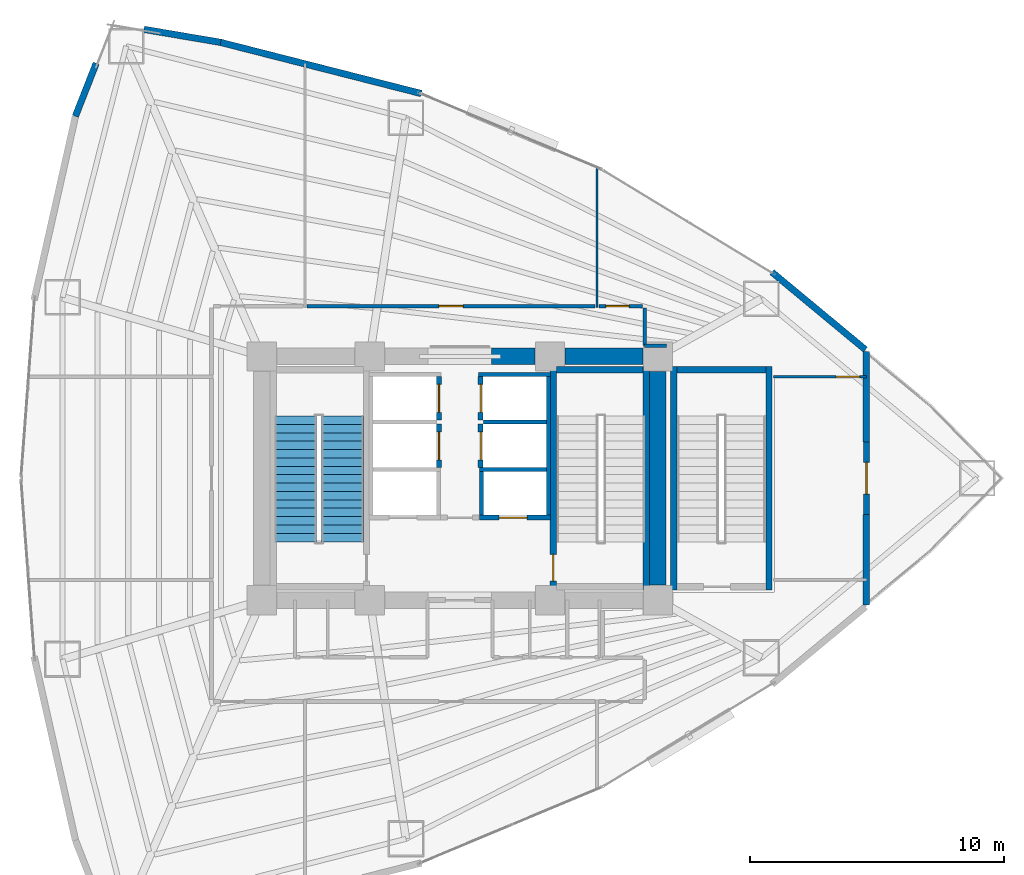
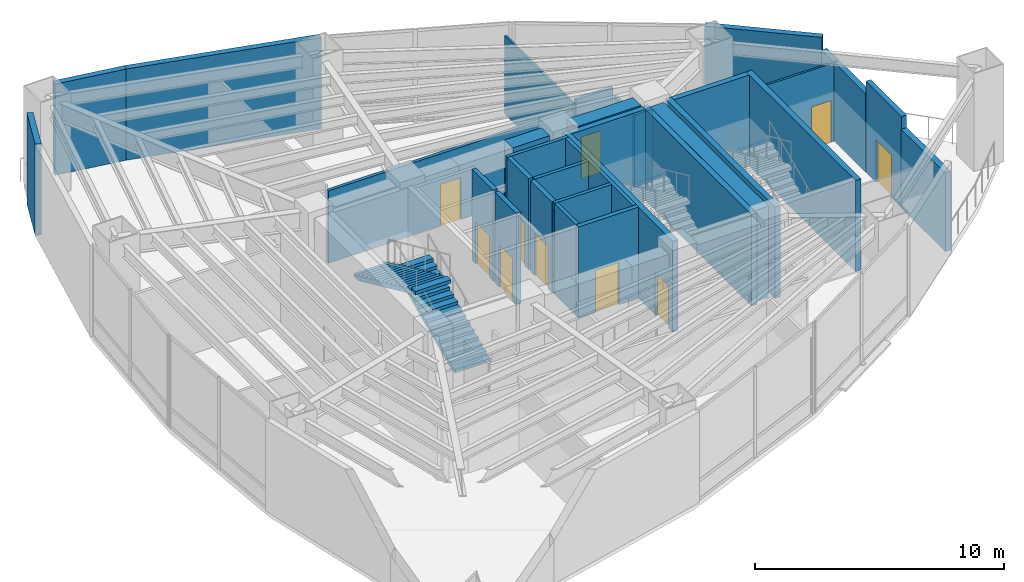
# One storey, part 15 of 18: 32 walls, 10 doors, 2 stair flights, 10 openings, 1 element without a shape of its own.
"""IFC4 building model written with IfcOpenShell, lengths in metres."""

from ifc_helpers import new_model, si_unit, direction, frame, frame_2d, origin, place, context, subcontext, project, spatial, polyline, rectangle, outline, extrude, material, layer, layer_set, type_object, element, fill, aggregate, save


model = new_model("IFC4")

# Units and contexts
model_context = context("Model", 3, precision=1e-05, world=origin(), true_north=direction((0.0, 1.0)))
body_context = subcontext(model_context, "Body", "Model", "MODEL_VIEW")
ifc_project = project(units=[si_unit("LENGTHUNIT", "METRE"), si_unit("AREAUNIT", "SQUARE_METRE"), si_unit("VOLUMEUNIT", "CUBIC_METRE"), si_unit("PLANEANGLEUNIT", "RADIAN"), si_unit("MASSUNIT", "GRAM", prefix="KILO")], contexts=[model_context])

# Site, building, storey
site_placement = place(None, origin())
site = spatial("IfcSite", under=ifc_project, at=site_placement, CompositionType="ELEMENT")
building_placement = place(site_placement, origin())
building = spatial("IfcBuilding", under=site, at=building_placement, Name="Menara Vayukalpa", CompositionType="ELEMENT")
storey_placement = place(building_placement, frame((0.0, 0.0, 18.0)))
storey = spatial("IfcBuildingStorey", under=building, at=storey_placement, Name="L03", CompositionType="ELEMENT", Elevation=18.0)

# Walls
ifc_material_1 = material(Name="Concrete C80/95", Category="concrete")
ifc_layer_1 = layer(ifc_material_1, 0.64990234375)
ifc_layer_set_1 = layer_set([ifc_layer_1], Name="Concrete C80/95")
wall_type_1 = type_object("IfcWallType", Name="WAL-CW650", PredefinedType="SHEAR", material=ifc_layer_set_1)
wall_1_placement = place(storey_placement, frame((26.85009765625, 26.800048828125, 0.0), z_axis=(0.0, 0.0, 1.0), x_axis=(1.0, 0.0, 0.0)))
element("IfcWall", 1, at=wall_1_placement, inside=storey, type_object=wall_type_1, Name="L03 Buttressed Core Shear Wall CWN3", PredefinedType="SHEAR", context=body_context, shape_type="SweptSolid", body=[
    extrude(rectangle(XDim=1.704833984375, YDim=0.64990234375, at=frame_2d((0.8525390625, 0.0))), origin(), (0.0, 0.0, 1.0), 4.47998046875),
])
wall_2_placement = place(storey_placement, frame((29.7451171875, 26.800048828125, 0.0), z_axis=(0.0, 0.0, 1.0), x_axis=(1.0, 0.0, 0.0)))
element("IfcWall", 2, at=wall_2_placement, inside=storey, type_object=wall_type_1, Name="L03 Buttressed Core Shear Wall CWN4", PredefinedType="SHEAR", context=body_context, shape_type="SweptSolid", body=[
    extrude(rectangle(XDim=3.059814453125, YDim=0.64990234375, at=frame_2d((1.52978515625, 0.0))), origin(), (0.0, 0.0, 1.0), 4.47998046875),
])
wall_3_placement = place(storey_placement, frame((33.39990234375, 17.794921875, 0.0), z_axis=(0.0, 0.0, 1.0), x_axis=(0.0, 1.0, 0.0)))
element("IfcWall", 3, at=wall_3_placement, inside=storey, type_object=wall_type_1, Name="L03 Buttressed Core Shear Wall CWE1", PredefinedType="SHEAR", context=body_context, shape_type="SweptSolid", body=[
    extrude(rectangle(XDim=8.41015625, YDim=0.64990234375, at=frame_2d((4.205078125, 0.0))), origin(), (0.0, 0.0, 1.0), 4.47998046875),
])

# Wall, opening, door
ifc_material_2 = material(Name="Insulated Precast Concrete C40/50", Category="concrete")
ifc_layer_2 = layer(ifc_material_2, 0.22998046875)
ifc_layer_set_2 = layer_set([ifc_layer_2], Name="Insulated Precast Concrete C40/50")
wall_type_2 = type_object("IfcWallType", Name="WAL-EXT230", PredefinedType="PARTITIONING", material=ifc_layer_set_2)
wall_4_placement = place(storey_placement, frame((41.609130859375, 20.56396484375, 0.0), z_axis=(0.0, 0.0, 1.0), x_axis=(0.0, 1.0, 0.0)))
wall_4 = element("IfcWall", 4, at=wall_4_placement, inside=storey, type_object=wall_type_2, Name="L03 Sky Terrace Access Wall", PredefinedType="PARTITIONING", context=body_context, shape_type="SweptSolid", body=[
    extrude(rectangle(XDim=2.8720703125, YDim=0.22998046875, at=frame_2d((1.43603515625, 0.0))), origin(), (0.0, 0.0, 1.0), 4.47998046875),
])
opening_1_placement = place(wall_4_placement, frame((0.81103515625, 0.0, 0.0)))
opening_1 = element("IfcOpeningElement", 5, at=opening_1_placement, cuts=wall_4, Name="Opening ED3", PredefinedType="OPENING", context=body_context, shape_type="SweptSolid", body=[
    extrude(rectangle(XDim=1.25, YDim=2.10009765625, at=frame_2d((0.625, 1.050048828125))), frame((0.0, 0.125, 0.0), z_axis=(0.0, -1.0, 0.0), x_axis=(1.0, 0.0, 0.0)), (0.0, 0.0, 1.0), 0.25),
])
ifc_material_3 = material(Name="Thermally Broken Aluminium Terrace Door", Category="aluminium")
door_type_1 = type_object("IfcDoorType", Name="DR-EX125", OperationType="NOTDEFINED", PredefinedType="DOOR", material=ifc_material_3)
door_1_placement = place(opening_1_placement, origin())
door_1 = element("IfcDoor", 6, at=door_1_placement, inside=storey, type_object=door_type_1, Name="L03 Outdoor Sky Terrace Access Door", OperationType="SINGLE_SWING_RIGHT", OverallHeight=2.10009765625, OverallWidth=1.25, PredefinedType="DOOR", context=body_context, shape_type="SweptSolid", body=[
    extrude(rectangle(XDim=1.25, YDim=2.10009765625, at=frame_2d((0.625, 1.050048828125))), frame((0.0, 0.02490234375, 0.0), z_axis=(0.0, -1.0, 0.0), x_axis=(1.0, 0.0, 0.0)), (0.0, 0.0, 1.0), 0.050048828125),
])
fill(opening_1, door_1)

# Walls
ifc_material_4 = material(Name="Insulated Precast Concrete C40/50", Category="concrete")
ifc_layer_3 = layer(ifc_material_4, 0.260009765625)
ifc_layer_set_3 = layer_set([ifc_layer_3], Name="Insulated Precast Concrete C40/50")
wall_type_3 = type_object("IfcWallType", Name="WAL-EXT260", PredefinedType="PARTITIONING", material=ifc_layer_set_3)
for number, where, z_axis, x_axis, name in (
    (7, (41.609130859375, 20.575927734375, 0.0), (0.0, 0.0, 1.0), (0.0, -1.0, 0.0), "L03 Perimeter Terracotta Pier Wall 01"),
    (8, (41.609130859375, 26.988037109375, 0.0), (0.0, 0.0, 1.0), (0.0, -1.0, 0.0), "L03 Perimeter Terracotta Pier Wall 02"),
):
    element("IfcWall", number, at=place(storey_placement, frame(where, z_axis=z_axis, x_axis=x_axis)), inside=storey, type_object=wall_type_3, Name=name, PredefinedType="PARTITIONING", context=body_context, shape_type="SweptSolid", body=[
        extrude(rectangle(XDim=3.56396484375, YDim=0.260009765625, at=frame_2d((1.781982421875, 0.0))), origin(), (0.0, 0.0, 1.0), 3.860107421875),
    ])
wall_5_placement = place(storey_placement, frame((37.888427734375, 30.121337890625, 0.0), z_axis=(0.0, 0.0, 1.0), x_axis=(0.769749401626, -0.638346190321, 0.0)))
element("IfcWall", 9, at=wall_5_placement, inside=storey, type_object=wall_type_3, Name="L03 Perimeter Terracotta Pier Wall 03", PredefinedType="PARTITIONING", context=body_context, shape_type="SweptSolid", body=[
    extrude(rectangle(XDim=4.7861328125, YDim=0.260009765625, at=frame_2d((2.39306640625, 0.0))), origin(), (0.0, 0.0, 1.0), 4.47998046875),
])
wall_6_placement = place(storey_placement, frame((16.167724609375, 39.171142578125, 0.0), z_axis=(0.0, 0.0, 1.0), x_axis=(0.968981557045, -0.247133045354, 0.0)))
element("IfcWall", 10, at=wall_6_placement, inside=storey, type_object=wall_type_3, Name="L03 Perimeter Terracotta Pier Wall 06", PredefinedType="PARTITIONING", context=body_context, shape_type="SweptSolid", body=[
    extrude(rectangle(XDim=8.1669921875, YDim=0.260009765625, at=frame_2d((4.08349609375, 0.0))), origin(), (0.0, 0.0, 1.0), 4.47998046875),
])
wall_7_placement = place(storey_placement, frame((13.158203125, 39.681396484375, 0.0), z_axis=(0.0, 0.0, 1.0), x_axis=(0.985905166387, -0.167305119144, 0.0)))
element("IfcWall", 11, at=wall_7_placement, inside=storey, type_object=wall_type_3, Name="L03 Perimeter Terracotta Pier Wall 07", PredefinedType="PARTITIONING", context=body_context, shape_type="SweptSolid", body=[
    extrude(rectangle(XDim=3.064453125, YDim=0.260009765625, at=frame_2d((1.5322265625, 0.0))), origin(), (0.0, 0.0, 1.0), 4.47998046875),
])
wall_8_placement = place(storey_placement, frame((10.4560546875, 36.2578125, 0.0), z_axis=(0.0, 0.0, 1.0), x_axis=(0.365527759733, 0.930800438797, 0.0)))
element("IfcWall", 12, at=wall_8_placement, inside=storey, type_object=wall_type_3, Name="L03 Perimeter Terracotta Pier Wall 08", PredefinedType="PARTITIONING", context=body_context, shape_type="SweptSolid", body=[
    extrude(rectangle(XDim=2.242919921875, YDim=0.260009765625, at=frame_2d((1.12158203125, 0.0))), origin(), (0.0, 0.0, 1.0), 4.47998046875),
])
ifc_material_5 = material(Name="Lightweight Concrete Blockwork C16/20", Category="masonry")
ifc_layer_4 = layer(ifc_material_5, 0.159912109375)
ifc_layer_set_4 = layer_set([ifc_layer_4], Name="Lightweight Concrete Blockwork C16/20")
wall_type_4 = type_object("IfcWallType", Name="WAL-FR150", PredefinedType="PARTITIONING", material=ifc_layer_set_4)
wall_9_placement = place(storey_placement, frame((29.094970703125, 20.56005859375, 0.0), z_axis=(0.0, 0.0, 1.0), x_axis=(0.0, 1.0, 0.0)))
element("IfcWall", 13, at=wall_9_placement, inside=storey, type_object=wall_type_4, Name="L03 Interior Partition IW-L03-SHW-EE", PredefinedType="PARTITIONING", context=body_context, shape_type="SweptSolid", body=[
    extrude(rectangle(XDim=5.449951171875, YDim=0.159912109375, at=frame_2d((2.72509765625, 0.0))), origin(), (0.0, 0.0, 1.0), 4.47998046875),
])
wall_10_placement = place(storey_placement, frame((26.445068359375, 20.56005859375, 0.0), z_axis=(0.0, 0.0, 1.0), x_axis=(0.0, 1.0, 0.0)))
element("IfcWall", 14, at=wall_10_placement, inside=storey, type_object=wall_type_4, Name="L03 Interior Partition IW-L03-SHW-E1W", PredefinedType="PARTITIONING", context=body_context, shape_type="SweptSolid", body=[
    extrude(rectangle(XDim=1.7099609375, YDim=0.159912109375, at=frame_2d((0.85498046875, 0.0))), origin(), (0.0, 0.0, 1.0), 4.47998046875),
])
wall_11_placement = place(storey_placement, frame((26.3701171875, 22.344970703125, 0.0), z_axis=(0.0, 0.0, 1.0), x_axis=(1.0, 0.0, 0.0)))
element("IfcWall", 15, at=wall_11_placement, inside=storey, type_object=wall_type_4, Name="L03 Interior Partition IW-L03-SHM-E13", PredefinedType="PARTITIONING", context=body_context, shape_type="SweptSolid", body=[
    extrude(rectangle(XDim=2.64990234375, YDim=0.159912109375, at=frame_2d((1.324951171875, 0.0))), origin(), (0.0, 0.0, 1.0), 4.47998046875),
])
wall_12_placement = place(storey_placement, frame((26.530029296875, 24.215087890625, 0.0), z_axis=(0.0, 0.0, 1.0), x_axis=(1.0, 0.0, 0.0)))
element("IfcWall", 16, at=wall_12_placement, inside=storey, type_object=wall_type_4, Name="L03 Interior Partition IW-L03-SHM-E32", PredefinedType="PARTITIONING", context=body_context, shape_type="SweptSolid", body=[
    extrude(rectangle(XDim=2.489990234375, YDim=0.159912109375, at=frame_2d((1.2451171875, 0.0))), origin(), (0.0, 0.0, 1.0), 4.47998046875),
])
wall_13_placement = place(storey_placement, frame((26.340087890625, 26.0849609375, 0.0), z_axis=(0.0, 0.0, 1.0), x_axis=(1.0, 0.0, 0.0)))
element("IfcWall", 17, at=wall_13_placement, inside=storey, type_object=wall_type_4, Name="L03 Interior Partition IW-L03-SHM-E2N", PredefinedType="PARTITIONING", context=body_context, shape_type="SweptSolid", body=[
    extrude(rectangle(XDim=2.829833984375, YDim=0.159912109375, at=frame_2d((1.4150390625, 0.0))), origin(), (0.0, 0.0, 1.0), 4.47998046875),
])

# Wall, opening, door
ifc_material_6 = material(Name="Lightweight Concrete Blockwork C16/20", Category="masonry")
ifc_layer_5 = layer(ifc_material_6, 0.199951171875)
ifc_layer_set_5 = layer_set([ifc_layer_5], Name="Lightweight Concrete Blockwork C16/20")
wall_type_5 = type_object("IfcWallType", Name="WAL-FR200", PredefinedType="PARTITIONING", material=ifc_layer_set_5)
wall_14_placement = place(storey_placement, frame((26.3701171875, 20.449951171875, 0.0), z_axis=(0.0, 0.0, 1.0), x_axis=(1.0, 0.0, 0.0)))
wall_14 = element("IfcWall", 18, at=wall_14_placement, inside=storey, type_object=wall_type_5, Name="L03 Interior Partition IW-L03-SH-E1", PredefinedType="PARTITIONING", context=body_context, shape_type="SweptSolid", body=[
    extrude(rectangle(XDim=2.7998046875, YDim=0.199951171875, at=frame_2d((1.39990234375, 0.0))), origin(), (0.0, 0.0, 1.0), 4.47998046875),
])
opening_2_placement = place(wall_14_placement, frame((0.780029296875, 0.0, 0.0)))
opening_2 = element("IfcOpeningElement", 19, at=opening_2_placement, cuts=wall_14, Name="Opening LD1", PredefinedType="OPENING", context=body_context, shape_type="SweptSolid", body=[
    extrude(rectangle(XDim=1.10009765625, YDim=2.080078125, at=frame_2d((0.550048828125, 1.0400390625))), frame((0.0, 0.10986328125, 0.0), z_axis=(0.0, -1.0, 0.0), x_axis=(1.0, 0.0, 0.0)), (0.0, 0.0, 1.0), 0.219970703125),
])
ifc_material_7 = material(Name="Brushed Stainless Steel 316 Lift Door", Category="steel")
door_type_2 = type_object("IfcDoorType", Name="DR-LD110", OperationType="NOTDEFINED", PredefinedType="DOOR", material=ifc_material_7)
door_2_placement = place(opening_2_placement, origin())
door_2 = element("IfcDoor", 20, at=door_2_placement, inside=storey, type_object=door_type_2, Name="L03 Interior Door DR-L03-LD-E1", OperationType="DOUBLE_DOOR_SLIDING", OverallHeight=2.080078125, OverallWidth=1.10009765625, PredefinedType="DOOR", context=body_context, shape_type="SweptSolid", body=[
    extrude(rectangle(XDim=1.10009765625, YDim=2.080078125, at=frame_2d((0.550048828125, 1.0400390625))), frame((0.0, 0.02490234375, 0.0), z_axis=(0.0, -1.0, 0.0), x_axis=(1.0, 0.0, 0.0)), (0.0, 0.0, 1.0), 0.050048828125),
])
fill(opening_2, door_2)

wall_15_placement = place(storey_placement, frame((24.780029296875, 22.419921875, 0.0), z_axis=(0.0, 0.0, 1.0), x_axis=(0.0, 1.0, 0.0)))
wall_15 = element("IfcWall", 21, at=wall_15_placement, inside=storey, type_object=wall_type_5, Name="L03 Interior Partition IW-L03-SH-W2", PredefinedType="PARTITIONING", context=body_context, shape_type="SweptSolid", body=[
    extrude(rectangle(XDim=1.719970703125, YDim=0.199951171875, at=frame_2d((0.85986328125, 0.0))), origin(), (0.0, 0.0, 1.0), 4.47998046875),
])
opening_3_placement = place(wall_15_placement, frame((0.31005859375, 0.0, 0.0)))
opening_3 = element("IfcOpeningElement", 22, at=opening_3_placement, cuts=wall_15, Name="Opening LD1", PredefinedType="OPENING", context=body_context, shape_type="SweptSolid", body=[
    extrude(rectangle(XDim=1.10009765625, YDim=2.080078125, at=frame_2d((0.550048828125, 1.0400390625))), frame((0.0, 0.10986328125, 0.0), z_axis=(0.0, -1.0, 0.0), x_axis=(1.0, 0.0, 0.0)), (0.0, 0.0, 1.0), 0.219970703125),
])
door_3_placement = place(opening_3_placement, origin())
door_3 = element("IfcDoor", 23, at=door_3_placement, inside=storey, type_object=door_type_2, Name="L03 Interior Door DR-L03-LD-W2", OperationType="DOUBLE_DOOR_SLIDING", OverallHeight=2.080078125, OverallWidth=1.10009765625, PredefinedType="DOOR", context=body_context, shape_type="SweptSolid", body=[
    extrude(rectangle(XDim=1.10009765625, YDim=2.080078125, at=frame_2d((0.550048828125, 1.0400390625))), frame((0.0, 0.02490234375, 0.0), z_axis=(0.0, -1.0, 0.0), x_axis=(1.0, 0.0, 0.0)), (0.0, 0.0, 1.0), 0.050048828125),
])
fill(opening_3, door_3)

wall_16_placement = place(storey_placement, frame((24.780029296875, 24.2900390625, 0.0), z_axis=(0.0, 0.0, 1.0), x_axis=(0.0, 1.0, 0.0)))
wall_16 = element("IfcWall", 24, at=wall_16_placement, inside=storey, type_object=wall_type_5, Name="L03 Interior Partition IW-L03-SH-W3", PredefinedType="PARTITIONING", context=body_context, shape_type="SweptSolid", body=[
    extrude(rectangle(XDim=1.719970703125, YDim=0.199951171875, at=frame_2d((0.85986328125, 0.0))), origin(), (0.0, 0.0, 1.0), 4.47998046875),
])
opening_4_placement = place(wall_16_placement, frame((0.31005859375, 0.0, 0.0)))
opening_4 = element("IfcOpeningElement", 25, at=opening_4_placement, cuts=wall_16, Name="Opening LD1", PredefinedType="OPENING", context=body_context, shape_type="SweptSolid", body=[
    extrude(rectangle(XDim=1.10009765625, YDim=2.080078125, at=frame_2d((0.550048828125, 1.0400390625))), frame((0.0, 0.10986328125, 0.0), z_axis=(0.0, -1.0, 0.0), x_axis=(1.0, 0.0, 0.0)), (0.0, 0.0, 1.0), 0.219970703125),
])
door_4_placement = place(opening_4_placement, origin())
door_4 = element("IfcDoor", 26, at=door_4_placement, inside=storey, type_object=door_type_2, Name="L03 Interior Door DR-L03-LD-W3", OperationType="DOUBLE_DOOR_SLIDING", OverallHeight=2.080078125, OverallWidth=1.10009765625, PredefinedType="DOOR", context=body_context, shape_type="SweptSolid", body=[
    extrude(rectangle(XDim=1.10009765625, YDim=2.080078125, at=frame_2d((0.550048828125, 1.0400390625))), frame((0.0, 0.02490234375, 0.0), z_axis=(0.0, -1.0, 0.0), x_axis=(1.0, 0.0, 0.0)), (0.0, 0.0, 1.0), 0.050048828125),
])
fill(opening_4, door_4)

wall_17_placement = place(storey_placement, frame((26.419921875, 22.419921875, 0.0), z_axis=(0.0, 0.0, 1.0), x_axis=(0.0, 1.0, 0.0)))
wall_17 = element("IfcWall", 27, at=wall_17_placement, inside=storey, type_object=wall_type_5, Name="L03 Interior Partition IW-L03-SH-E3", PredefinedType="PARTITIONING", context=body_context, shape_type="SweptSolid", body=[
    extrude(rectangle(XDim=1.719970703125, YDim=0.199951171875, at=frame_2d((0.85986328125, 0.0))), origin(), (0.0, 0.0, 1.0), 4.47998046875),
])
opening_5_placement = place(wall_17_placement, frame((0.31005859375, 0.0, 0.0)))
opening_5 = element("IfcOpeningElement", 28, at=opening_5_placement, cuts=wall_17, Name="Opening LD1", PredefinedType="OPENING", context=body_context, shape_type="SweptSolid", body=[
    extrude(rectangle(XDim=1.10009765625, YDim=2.080078125, at=frame_2d((0.550048828125, 1.0400390625))), frame((0.0, 0.10986328125, 0.0), z_axis=(0.0, -1.0, 0.0), x_axis=(1.0, 0.0, 0.0)), (0.0, 0.0, 1.0), 0.219970703125),
])
door_5_placement = place(opening_5_placement, origin())
door_5 = element("IfcDoor", 29, at=door_5_placement, inside=storey, type_object=door_type_2, Name="L03 Interior Door DR-L03-LD-E3", OperationType="DOUBLE_DOOR_SLIDING", OverallHeight=2.080078125, OverallWidth=1.10009765625, PredefinedType="DOOR", context=body_context, shape_type="SweptSolid", body=[
    extrude(rectangle(XDim=1.10009765625, YDim=2.080078125, at=frame_2d((0.550048828125, 1.0400390625))), frame((0.0, 0.02490234375, 0.0), z_axis=(0.0, -1.0, 0.0), x_axis=(1.0, 0.0, 0.0)), (0.0, 0.0, 1.0), 0.050048828125),
])
fill(opening_5, door_5)

wall_18_placement = place(storey_placement, frame((26.419921875, 24.2900390625, 0.0), z_axis=(0.0, 0.0, 1.0), x_axis=(0.0, 1.0, 0.0)))
wall_18 = element("IfcWall", 30, at=wall_18_placement, inside=storey, type_object=wall_type_5, Name="L03 Interior Partition IW-L03-SH-E2", PredefinedType="PARTITIONING", context=body_context, shape_type="SweptSolid", body=[
    extrude(rectangle(XDim=1.719970703125, YDim=0.199951171875, at=frame_2d((0.85986328125, 0.0))), origin(), (0.0, 0.0, 1.0), 4.47998046875),
])
opening_6_placement = place(wall_18_placement, frame((0.31005859375, 0.0, 0.0)))
opening_6 = element("IfcOpeningElement", 31, at=opening_6_placement, cuts=wall_18, Name="Opening LD1", PredefinedType="OPENING", context=body_context, shape_type="SweptSolid", body=[
    extrude(rectangle(XDim=1.10009765625, YDim=2.080078125, at=frame_2d((0.550048828125, 1.0400390625))), frame((0.0, 0.10986328125, 0.0), z_axis=(0.0, -1.0, 0.0), x_axis=(1.0, 0.0, 0.0)), (0.0, 0.0, 1.0), 0.219970703125),
])
door_6_placement = place(opening_6_placement, origin())
door_6 = element("IfcDoor", 32, at=door_6_placement, inside=storey, type_object=door_type_2, Name="L03 Interior Door DR-L03-LD-E2", OperationType="DOUBLE_DOOR_SLIDING", OverallHeight=2.080078125, OverallWidth=1.10009765625, PredefinedType="DOOR", context=body_context, shape_type="SweptSolid", body=[
    extrude(rectangle(XDim=1.10009765625, YDim=2.080078125, at=frame_2d((0.550048828125, 1.0400390625))), frame((0.0, 0.02490234375, 0.0), z_axis=(0.0, -1.0, 0.0), x_axis=(1.0, 0.0, 0.0)), (0.0, 0.0, 1.0), 0.050048828125),
])
fill(opening_6, door_6)

# Wall
ifc_material_8 = material(Name="Glazed Demountable Office Partition", Category="glass")
ifc_layer_6 = layer(ifc_material_8, 0.094970703125)
ifc_layer_set_6 = layer_set([ifc_layer_6], Name="Glazed Demountable Office Partition")
wall_type_6 = type_object("IfcWallType", Name="WAL-PT100", PredefinedType="PARTITIONING", material=ifc_layer_set_6)
wall_19_placement = place(storey_placement, frame((31.0, 28.72998046875, 0.0), z_axis=(0.0, 0.0, 1.0), x_axis=(0.0, 1.0, 0.0)))
element("IfcWall", 33, at=wall_19_placement, inside=storey, type_object=wall_type_6, Name="L03 Interior Partition IW-L03-RDIV04", PredefinedType="PARTITIONING", context=body_context, shape_type="SweptSolid", body=[
    extrude(rectangle(XDim=5.522216796875, YDim=0.094970703125, at=frame_2d((2.76123046875, 0.0))), origin(), (0.0, 0.0, 1.0), 3.860107421875),
])

# Wall, opening, door
wall_20_placement = place(storey_placement, frame((37.9599609375, 26.0, 0.0), z_axis=(0.0, 0.0, 1.0), x_axis=(1.0, 0.0, 0.0)))
wall_20 = element("IfcWall", 34, at=wall_20_placement, inside=storey, type_object=wall_type_6, Name="L03 Interior Partition IW-L03-RDIV08", PredefinedType="PARTITIONING", context=body_context, shape_type="SweptSolid", body=[
    extrude(rectangle(XDim=3.6591796875, YDim=0.094970703125, at=frame_2d((1.82958984375, 0.0))), origin(), (0.0, 0.0, 1.0), 3.860107421875),
])
opening_7_placement = place(wall_20_placement, frame((2.459228515625, 0.0, 0.0)))
opening_7 = element("IfcOpeningElement", 35, at=opening_7_placement, cuts=wall_20, Name="Opening ID6", PredefinedType="OPENING", context=body_context, shape_type="SweptSolid", body=[
    extrude(rectangle(XDim=0.919921875, YDim=2.050048828125, at=frame_2d((0.4599609375, 1.02490234375))), frame((0.0, 0.057373046875, 0.0), z_axis=(0.0, -1.0, 0.0), x_axis=(1.0, 0.0, 0.0)), (0.0, 0.0, 1.0), 0.114990234375),
])
ifc_material_9 = material(Name="Acoustic Hardwood Veneer Timber Door", Category="wood")
door_type_3 = type_object("IfcDoorType", Name="DR-INT92", OperationType="NOTDEFINED", PredefinedType="DOOR", material=ifc_material_9)
door_7_placement = place(opening_7_placement, origin())
door_7 = element("IfcDoor", 36, at=door_7_placement, inside=storey, type_object=door_type_3, Name="L03 Interior Door DR-L03-STE05", OperationType="SINGLE_SWING_LEFT", OverallHeight=2.050048828125, OverallWidth=0.919921875, PredefinedType="DOOR", context=body_context, shape_type="SweptSolid", body=[
    extrude(rectangle(XDim=0.919921875, YDim=2.050048828125, at=frame_2d((0.4599609375, 1.02490234375))), frame((0.0, 0.02490234375, 0.0), z_axis=(0.0, -1.0, 0.0), x_axis=(1.0, 0.0, 0.0)), (0.0, 0.0, 1.0), 0.050048828125),
])
fill(opening_7, door_7)

# Walls
ifc_material_10 = material(Name="Gypsum Drywall Acoustic Stud Assembly", Category="masonry")
ifc_layer_7 = layer(ifc_material_10, 0.14501953125)
ifc_layer_set_7 = layer_set([ifc_layer_7], Name="Gypsum Drywall Acoustic Stud Assembly")
wall_type_7 = type_object("IfcWallType", Name="WAL-PT150", PredefinedType="PARTITIONING", material=ifc_layer_set_7)
wall_21_placement = place(storey_placement, frame((33.739990234375, 27.219970703125, 0.0), z_axis=(0.0, 0.0, 1.0), x_axis=(-1.0, 0.0, 0.0)))
element("IfcWall", 37, at=wall_21_placement, inside=storey, type_object=wall_type_7, Name="L03 Interior Partition IW-L03-CRM06-1", PredefinedType="PARTITIONING", context=body_context, shape_type="SweptSolid", body=[
    extrude(rectangle(XDim=0.860107421875, YDim=0.14501953125, at=frame_2d((0.43017578125, 0.0))), origin(), (0.0, 0.0, 1.0), 3.56005859375),
])
wall_22_placement = place(storey_placement, frame((32.8798828125, 27.219970703125, 0.0), z_axis=(0.0, 0.0, 1.0), x_axis=(0.0, 1.0, 0.0)))
element("IfcWall", 38, at=wall_22_placement, inside=storey, type_object=wall_type_7, Name="L03 Interior Partition IW-L03-CRM06-2", PredefinedType="PARTITIONING", context=body_context, shape_type="SweptSolid", body=[
    extrude(rectangle(XDim=1.47998046875, YDim=0.14501953125, at=frame_2d((0.739990234375, 0.0))), origin(), (0.0, 0.0, 1.0), 3.610107421875),
])

# Wall, opening, door
wall_23_placement = place(storey_placement, frame((32.800048828125, 28.780029296875, 0.0), z_axis=(0.0, 0.0, 1.0), x_axis=(-1.0, 0.0, 0.0)))
wall_23 = element("IfcWall", 39, at=wall_23_placement, inside=storey, type_object=wall_type_7, Name="L03 Interior Partition IW-L03-CRM06-3", PredefinedType="PARTITIONING", context=body_context, shape_type="SweptSolid", body=[
    extrude(rectangle(XDim=1.72998046875, YDim=0.14501953125, at=frame_2d((0.864990234375, 0.0))), origin(), (0.0, 0.0, 1.0), 4.010009765625),
])
opening_8_placement = place(wall_23_placement, frame((0.530029296875, 0.0, 0.0)))
opening_8 = element("IfcOpeningElement", 40, at=opening_8_placement, cuts=wall_23, Name="Opening ID6", PredefinedType="OPENING", context=body_context, shape_type="SweptSolid", body=[
    extrude(rectangle(XDim=0.919921875, YDim=2.050048828125, at=frame_2d((0.4599609375, 1.02490234375))), frame((0.0, 0.08251953125, 0.0), z_axis=(0.0, -1.0, 0.0), x_axis=(1.0, 0.0, 0.0)), (0.0, 0.0, 1.0), 0.1650390625),
])
door_8_placement = place(opening_8_placement, origin())
door_8 = element("IfcDoor", 41, at=door_8_placement, inside=storey, type_object=door_type_3, Name="L03 Interior Door DR-L03-RM06", OperationType="SINGLE_SWING_LEFT", OverallHeight=2.050048828125, OverallWidth=0.919921875, PredefinedType="DOOR", context=body_context, shape_type="SweptSolid", body=[
    extrude(rectangle(XDim=0.919921875, YDim=2.050048828125, at=frame_2d((0.4599609375, 1.02490234375))), frame((0.0, 0.02490234375, 0.0), z_axis=(0.0, -1.0, 0.0), x_axis=(1.0, 0.0, 0.0)), (0.0, 0.0, 1.0), 0.050048828125),
])
fill(opening_8, door_8)

wall_24_placement = place(storey_placement, frame((30.929931640625, 28.780029296875, 0.0), z_axis=(0.0, 0.0, 1.0), x_axis=(-1.0, 0.0, 0.0)))
wall_24 = element("IfcWall", 42, at=wall_24_placement, inside=storey, type_object=wall_type_7, Name="L03 Interior Partition IW-L03-CRM07-1", PredefinedType="PARTITIONING", context=body_context, shape_type="SweptSolid", body=[
    extrude(rectangle(XDim=11.35986328125, YDim=0.14501953125, at=frame_2d((5.679931640625, 0.0))), origin(), (0.0, 0.0, 1.0), 3.56005859375),
])
opening_9_placement = place(wall_24_placement, frame((5.205078125, 0.0, 0.0)))
opening_9 = element("IfcOpeningElement", 43, at=opening_9_placement, cuts=wall_24, Name="Opening ID5", PredefinedType="OPENING", context=body_context, shape_type="SweptSolid", body=[
    extrude(rectangle(XDim=0.949951171875, YDim=2.06005859375, at=frame_2d((0.47509765625, 1.030029296875))), frame((0.0, 0.08251953125, 0.0), z_axis=(0.0, -1.0, 0.0), x_axis=(1.0, 0.0, 0.0)), (0.0, 0.0, 1.0), 0.1650390625),
])
ifc_material_11 = material(Name="Acoustic Hardwood Veneer Timber Door", Category="wood")
door_type_4 = type_object("IfcDoorType", Name="DR-INT95", OperationType="NOTDEFINED", PredefinedType="DOOR", material=ifc_material_11)
door_9_placement = place(opening_9_placement, origin())
door_9 = element("IfcDoor", 44, at=door_9_placement, inside=storey, type_object=door_type_4, Name="L03 Interior Door DR-L03-RM07", OperationType="SINGLE_SWING_RIGHT", OverallHeight=2.06005859375, OverallWidth=0.949951171875, PredefinedType="DOOR", context=body_context, shape_type="SweptSolid", body=[
    extrude(rectangle(XDim=0.949951171875, YDim=2.06005859375, at=frame_2d((0.47509765625, 1.030029296875))), frame((0.0, 0.02490234375, 0.0), z_axis=(0.0, -1.0, 0.0), x_axis=(1.0, 0.0, 0.0)), (0.0, 0.0, 1.0), 0.050048828125),
])
fill(opening_9, door_9)

ifc_material_12 = material(Name="Concrete C50/60", Category="concrete")
ifc_layer_8 = layer(ifc_material_12, 0.25)
ifc_layer_set_8 = layer_set([ifc_layer_8], Name="Concrete C50/60")
wall_type_8 = type_object("IfcWallType", Name="WAL-SW250", PredefinedType="SHEAR", material=ifc_layer_set_8)
wall_25_placement = place(storey_placement, frame((29.27490234375, 17.60009765625, 0.0), z_axis=(0.0, 0.0, 1.0), x_axis=(0.0, 1.0, 0.0)))
wall_25 = element("IfcWall", 45, at=wall_25_placement, inside=storey, type_object=wall_type_8, Name="L03 ST2 Structural Stair Shaft Wall W", PredefinedType="SHEAR", context=body_context, shape_type="SweptSolid", body=[
    extrude(rectangle(XDim=8.7998046875, YDim=0.25, at=frame_2d((4.39990234375, 0.0))), origin(), (0.0, 0.0, 1.0), 4.47998046875),
])
opening_10_placement = place(wall_25_placement, frame((0.35009765625, 0.0, 0.0)))
opening_10 = element("IfcOpeningElement", 46, at=opening_10_placement, cuts=wall_25, Name="Opening ID1", PredefinedType="OPENING", context=body_context, shape_type="SweptSolid", body=[
    extrude(rectangle(XDim=1.050048828125, YDim=2.080078125, at=frame_2d((0.52490234375, 1.0400390625))), frame((0.0, 0.135009765625, 0.0), z_axis=(0.0, -1.0, 0.0), x_axis=(1.0, 0.0, 0.0)), (0.0, 0.0, 1.0), 0.27001953125),
])
ifc_material_13 = material(Name="Fire-Rated Powder-Coated Steel Door", Category="steel")
door_type_5 = type_object("IfcDoorType", Name="DR-FD120", OperationType="NOTDEFINED", PredefinedType="DOOR", material=ifc_material_13)
door_10_placement = place(opening_10_placement, origin())
door_10 = element("IfcDoor", 47, at=door_10_placement, inside=storey, type_object=door_type_5, Name="L03 Stair Exit Door DR-L03-ST2", OperationType="SINGLE_SWING_RIGHT", OverallHeight=2.080078125, OverallWidth=1.050048828125, PredefinedType="DOOR", context=body_context, shape_type="SweptSolid", body=[
    extrude(rectangle(XDim=1.050048828125, YDim=2.080078125, at=frame_2d((0.52490234375, 1.0400390625))), frame((0.0, 0.02490234375, 0.0), z_axis=(0.0, -1.0, 0.0), x_axis=(1.0, 0.0, 0.0)), (0.0, 0.0, 1.0), 0.050048828125),
])
fill(opening_10, door_10)

# Walls
wall_26_placement = place(storey_placement, frame((32.946044921875, 17.60009765625, 0.0), z_axis=(0.0, 0.0, 1.0), x_axis=(0.0, 1.0, 0.0)))
element("IfcWall", 48, at=wall_26_placement, inside=storey, type_object=wall_type_8, Name="L03 ST2 Structural Stair Shaft Wall E", PredefinedType="SHEAR", context=body_context, shape_type="SweptSolid", body=[
    extrude(rectangle(XDim=8.7998046875, YDim=0.25, at=frame_2d((4.39990234375, 0.0))), origin(), (0.0, 0.0, 1.0), 4.47998046875),
])
wall_27_placement = place(storey_placement, frame((29.39990234375, 26.27490234375, 0.0), z_axis=(0.0, 0.0, 1.0), x_axis=(1.0, 0.0, 0.0)))
element("IfcWall", 49, at=wall_27_placement, inside=storey, type_object=wall_type_8, Name="L03 ST2 Structural Stair Shaft Wall N", PredefinedType="SHEAR", context=body_context, shape_type="SweptSolid", body=[
    extrude(rectangle(XDim=3.421142578125, YDim=0.25, at=frame_2d((1.71044921875, 0.0))), origin(), (0.0, 0.0, 1.0), 4.47998046875),
])
for number, where, z_axis, x_axis, name in (
    (50, (34.02490234375, 17.60009765625, 0.0), (0.0, 0.0, 1.0), (0.0, 1.0, 0.0), "L03 ST3 Structural Stair Shaft Wall W"),
    (51, (37.77490234375, 17.60009765625, 0.0), (0.0, 0.0, 1.0), (0.0, 1.0, 0.0), "L03 ST3 Structural Stair Shaft Wall E"),
):
    element("IfcWall", number, at=place(storey_placement, frame(where, z_axis=z_axis, x_axis=x_axis)), inside=storey, type_object=wall_type_8, Name=name, PredefinedType="SHEAR", context=body_context, shape_type="SweptSolid", body=[
        extrude(rectangle(XDim=8.7998046875, YDim=0.25, at=frame_2d((4.39990234375, 0.0))), origin(), (0.0, 0.0, 1.0), 4.47998046875),
    ])
wall_28_placement = place(storey_placement, frame((34.14990234375, 26.27490234375, 0.0), z_axis=(0.0, 0.0, 1.0), x_axis=(1.0, 0.0, 0.0)))
element("IfcWall", 52, at=wall_28_placement, inside=storey, type_object=wall_type_8, Name="L03 ST3 Structural Stair Shaft Wall N", PredefinedType="SHEAR", context=body_context, shape_type="SweptSolid", body=[
    extrude(rectangle(XDim=3.5, YDim=0.25, at=frame_2d((1.75, 0.0))), origin(), (0.0, 0.0, 1.0), 4.47998046875),
])

# Stair, stair flights
ifc_material_14 = material(Name="Precast Concrete C40/50", Category="concrete")
stair_type = type_object("IfcStairType", Name="STR-T01", PredefinedType="DOUBLE_RETURN_STAIR", material=ifc_material_14)
stair_placement = place(storey_placement, origin())
stair = element("IfcStair", 53, at=stair_placement, inside=storey, type_object=stair_type, Name="L03 Core Exit Stair ST-1", PredefinedType="DOUBLE_RETURN_STAIR")
ifc_material_15 = material(Name="Precast Concrete C40/50", Category="concrete")
stair_flight_type = type_object("IfcStairFlightType", Name="STF-T01", PredefinedType="STRAIGHT", material=ifc_material_15)
stair_flight_1_placement = place(storey_placement, frame((20.97509765625, 19.5, 0.0), z_axis=(0.0, 0.0, 1.0), x_axis=(0.0, 1.0, 0.0)))
stair_flight_1 = element("IfcStairFlight", 54, at=stair_flight_1_placement, type_object=stair_flight_type, Name="ST-1 flight 1", NumberOfRisers=16, NumberOfTreads=15, PredefinedType="STRAIGHT", RiserHeight=0.15, TreadLength=0.33, context=body_context, shape_type="SweptSolid", body=[
    extrude(outline(polyline([(0.0, 0.0), (0.0, 0.14990234375), (0.330078125, 0.14990234375), (0.330078125, 0.300048828125), (0.659912109375, 0.300048828125), (0.659912109375, 0.449951171875), (0.989990234375, 0.449951171875), (0.989990234375, 0.60009765625), (1.320068359375, 0.60009765625), (1.320068359375, 0.75), (1.64990234375, 0.75), (1.64990234375, 0.89990234375), (1.97998046875, 0.89990234375), (1.97998046875, 1.050048828125), (2.31005859375, 1.050048828125), (2.31005859375, 1.199951171875), (2.639892578125, 1.199951171875), (2.639892578125, 1.35009765625), (2.969970703125, 1.35009765625), (2.969970703125, 1.5), (3.300048828125, 1.5), (3.300048828125, 1.64990234375), (3.6298828125, 1.64990234375), (3.6298828125, 1.800048828125), (3.9599609375, 1.800048828125), (3.9599609375, 1.949951171875), (4.2900390625, 1.949951171875), (4.2900390625, 2.10009765625), (4.6201171875, 2.10009765625), (4.6201171875, 2.25), (4.949951171875, 2.25), (4.949951171875, 2.39990234375), (4.949951171875, 2.08544921875), (0.3623046875, 0.0), (0.0, 0.0)])), frame((0.0, 0.824951171875, 0.0), z_axis=(0.0, -1.0, 0.0), x_axis=(1.0, 0.0, 0.0)), (0.0, 0.0, 1.0), 1.64990234375),
])
stair_flight_2_placement = place(storey_placement, frame((19.125, 24.449951171875, 2.39990234375), z_axis=(0.0, 0.0, 1.0), x_axis=(0.0, -1.0, 0.0)))
stair_flight_2 = element("IfcStairFlight", 55, at=stair_flight_2_placement, type_object=stair_flight_type, Name="ST-1 flight 2", NumberOfRisers=16, NumberOfTreads=15, PredefinedType="STRAIGHT", RiserHeight=0.15, TreadLength=0.33, context=body_context, shape_type="SweptSolid", body=[
    extrude(outline(polyline([(0.0, 0.0), (0.0, 0.14990234375), (0.330078125, 0.14990234375), (0.330078125, 0.300048828125), (0.659912109375, 0.300048828125), (0.659912109375, 0.449951171875), (0.989990234375, 0.449951171875), (0.989990234375, 0.60009765625), (1.320068359375, 0.60009765625), (1.320068359375, 0.75), (1.64990234375, 0.75), (1.64990234375, 0.89990234375), (1.97998046875, 0.89990234375), (1.97998046875, 1.050048828125), (2.31005859375, 1.050048828125), (2.31005859375, 1.199951171875), (2.639892578125, 1.199951171875), (2.639892578125, 1.35009765625), (2.969970703125, 1.35009765625), (2.969970703125, 1.5), (3.300048828125, 1.5), (3.300048828125, 1.64990234375), (3.6298828125, 1.64990234375), (3.6298828125, 1.800048828125), (3.9599609375, 1.800048828125), (3.9599609375, 1.949951171875), (4.2900390625, 1.949951171875), (4.2900390625, 2.10009765625), (4.6201171875, 2.10009765625), (4.6201171875, 2.25), (4.949951171875, 2.25), (4.949951171875, 2.39990234375), (4.949951171875, 2.08544921875), (0.3623046875, 0.0), (0.0, 0.0)])), frame((0.0, 0.824951171875, 0.0), z_axis=(0.0, -1.0, 0.0), x_axis=(1.0, 0.0, 0.0)), (0.0, 0.0, 1.0), 1.64990234375),
])
aggregate(stair, [stair_flight_1, stair_flight_2])

save(model, "model.ifc")
